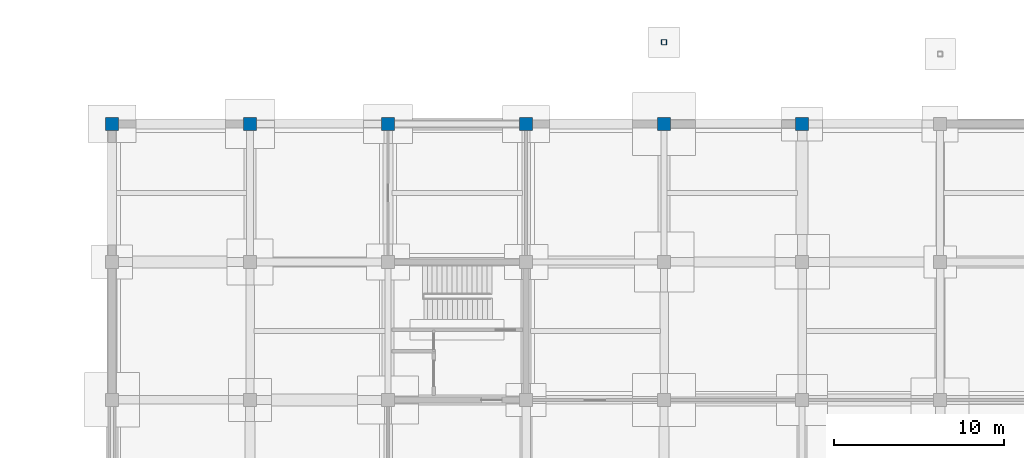
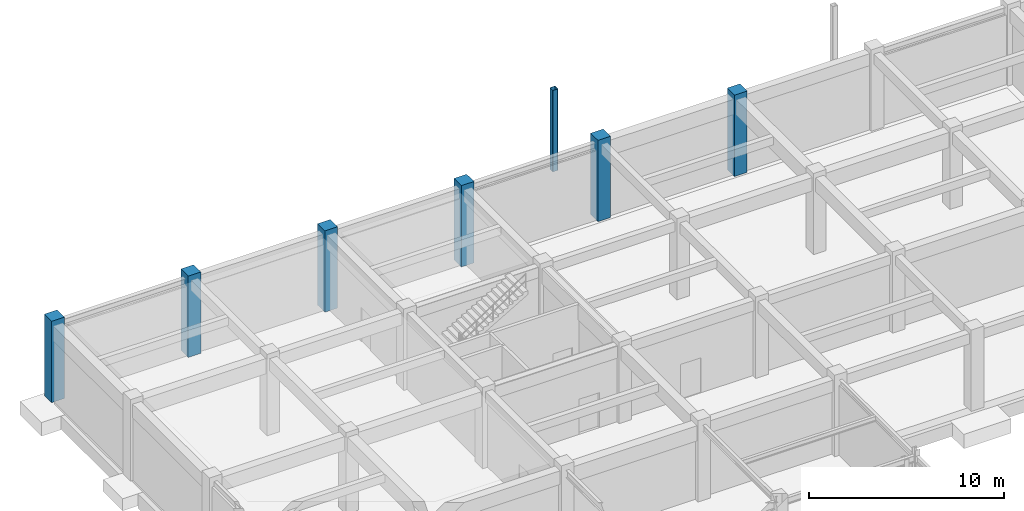
# One storey, part 29 of 67: 7 columns.
"""IFC4 building model written with IfcOpenShell, lengths in metres."""

from ifc_helpers import new_model, si_unit, direction, frame, origin, origin_2d, place, context, subcontext, project, spatial, rectangle, hollow_rectangle, extrude, material, material_profile, profile_set, type_object, element, save


model = new_model("IFC4")

# Units and contexts
model_context = context("Model", 3, precision=1e-05, world=origin(), true_north=direction((0.0, 1.0)))
body_context = subcontext(model_context, "Body", "Model", "MODEL_VIEW")
ifc_project = project(units=[si_unit("LENGTHUNIT", "METRE"), si_unit("AREAUNIT", "SQUARE_METRE"), si_unit("VOLUMEUNIT", "CUBIC_METRE"), si_unit("PLANEANGLEUNIT", "RADIAN"), si_unit("MASSUNIT", "GRAM", prefix="KILO")], contexts=[model_context])

# Site, building, storey
site_placement = place(None, origin())
site = spatial("IfcSite", under=ifc_project, at=site_placement, CompositionType="ELEMENT")
building_placement = place(site_placement, origin())
building = spatial("IfcBuilding", under=site, at=building_placement, Name="Vaudrelin Polytechnic", CompositionType="ELEMENT")
storey_placement = place(building_placement, frame((0.0, 0.0, -5.10009765625)))
storey = spatial("IfcBuildingStorey", under=building, at=storey_placement, Name="B1", CompositionType="ELEMENT", Elevation=-5.10009765625)

# Columns
ifc_material_1 = material(Name="Steel CSA G40.21 350WT", Category="steel")
ifc_material_profile_1 = material_profile(ifc_material_1, hollow_rectangle(XDim=0.304931640625, YDim=0.304931640625, WallThickness=0.0126953125, InnerFilletRadius=0.0126953125, OuterFilletRadius=0.025390625, at=origin_2d()), Name="HSS305x305x12.7")
ifc_profile_set_1 = profile_set([ifc_material_profile_1], Name="Steel CSA G40.21 350WT")
column_type_1 = type_object("IfcColumnType", Name="COL-C-HSS305", PredefinedType="COLUMN", material=ifc_profile_set_1)
column_placement = place(storey_placement, frame((32.39990234375, 126.300048828125, 0.0), z_axis=(0.0, 0.0, 1.0), x_axis=(1.0, 0.0, 0.0)))
element("IfcColumn", 1, at=column_placement, inside=storey, type_object=column_type_1, Name="Deconstructivist column B1 N_OR1_1", PredefinedType="COLUMN", context=body_context, shape_type="SweptSolid", body=[
    extrude(hollow_rectangle(XDim=0.304931640625, YDim=0.304931640625, WallThickness=0.0126953125, InnerFilletRadius=0.0126953125, OuterFilletRadius=0.025390625, at=origin_2d()), origin(), (0.0, 0.0, 1.0), 5.10009765625),
])
ifc_material_2 = material(Name="Concrete 50 MPa", Category="concrete")
ifc_material_profile_2 = material_profile(ifc_material_2, rectangle(XDim=0.75, YDim=0.75, at=origin_2d()), Name="RC750x750")
ifc_profile_set_2 = profile_set([ifc_material_profile_2], Name="Concrete 50 MPa")
column_type_2 = type_object("IfcColumnType", Name="COL-C-RC750", PredefinedType="COLUMN", material=ifc_profile_set_2)
for number, where, z_axis, x_axis, name in (
    (2, (0.0, 121.5, 0.0), (0.0, 0.0, 1.0), (1.0, 0.0, 0.0), "Column B1 1-16"),
    (3, (8.10009765625, 121.5, 0.0), (0.0, 0.0, 1.0), (1.0, 0.0, 0.0), "Column B1 2-16"),
    (4, (16.199951171875, 121.5, 0.0), (0.0, 0.0, 1.0), (1.0, 0.0, 0.0), "Column B1 3-16"),
    (5, (24.300048828125, 121.5, 0.0), (0.0, 0.0, 1.0), (1.0, 0.0, 0.0), "Column B1 4-16"),
    (6, (32.39990234375, 121.5, 0.0), (0.0, 0.0, 1.0), (1.0, 0.0, 0.0), "Column B1 5-16"),
    (7, (40.5, 121.5, 0.0), (0.0, 0.0, 1.0), (1.0, 0.0, 0.0), "Column B1 6-16"),
):
    element("IfcColumn", number, at=place(storey_placement, frame(where, z_axis=z_axis, x_axis=x_axis)), inside=storey, type_object=column_type_2, Name=name, PredefinedType="COLUMN", context=body_context, shape_type="SweptSolid", body=[
        extrude(rectangle(XDim=0.75, YDim=0.75, at=origin_2d()), origin(), (0.0, 0.0, 1.0), 5.10009765625),
    ])

save(model, "model.ifc")
